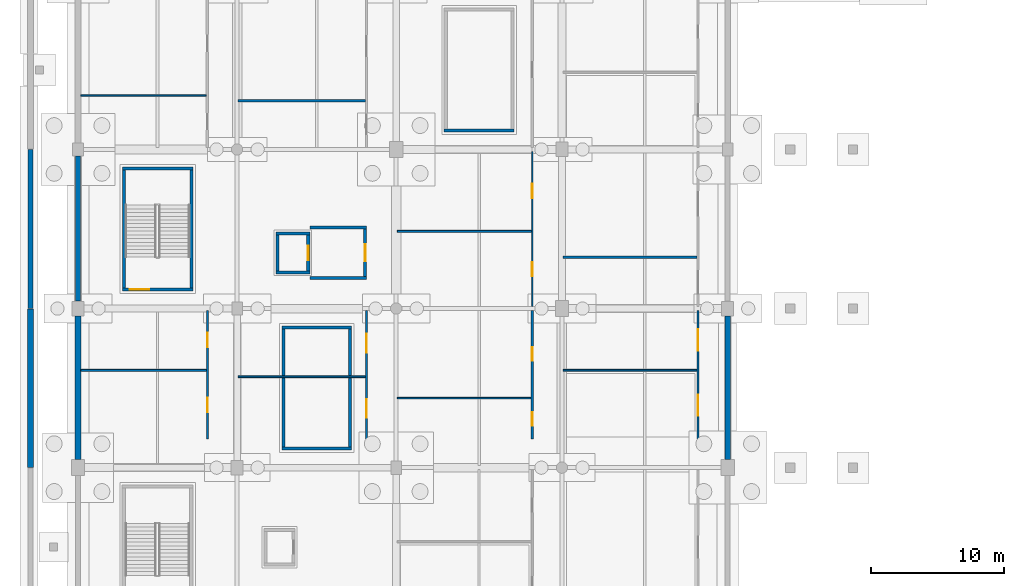
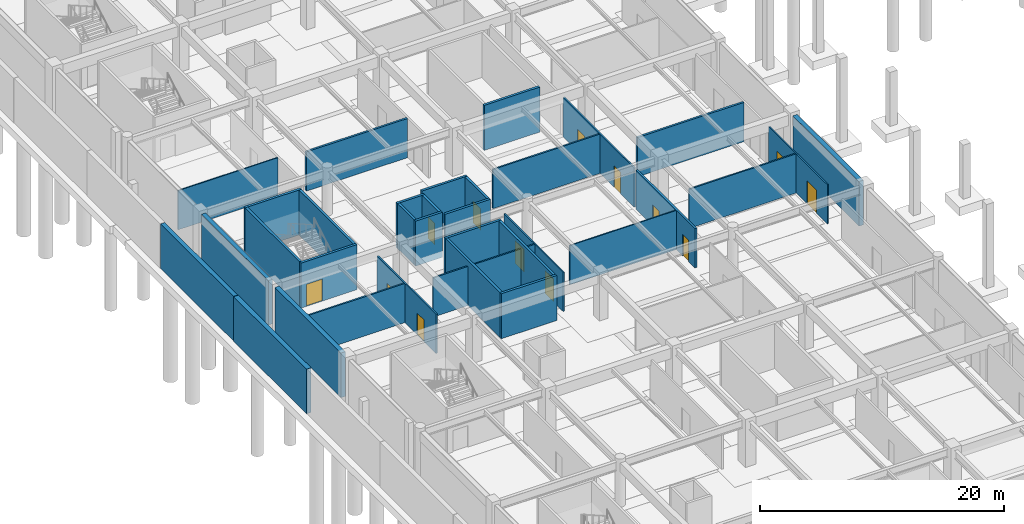
# One storey, part 28 of 56: 34 walls, 13 doors, 13 openings.
"""IFC4 building model written with IfcOpenShell, lengths in metres."""

from ifc_helpers import new_model, si_unit, direction, frame, frame_2d, origin, place, context, subcontext, project, spatial, rectangle, extrude, material, layer, layer_set, type_object, element, fill, save


model = new_model("IFC4")

# Units and contexts
model_context = context("Model", 3, precision=1e-05, world=origin(), true_north=direction((0.0, 1.0)))
body_context = subcontext(model_context, "Body", "Model", "MODEL_VIEW")
ifc_project = project(units=[si_unit("LENGTHUNIT", "METRE"), si_unit("AREAUNIT", "SQUARE_METRE"), si_unit("VOLUMEUNIT", "CUBIC_METRE"), si_unit("PLANEANGLEUNIT", "RADIAN"), si_unit("MASSUNIT", "GRAM", prefix="KILO")], contexts=[model_context])

# Site, building, storey
site_placement = place(None, origin())
site = spatial("IfcSite", under=ifc_project, at=site_placement, CompositionType="ELEMENT")
building_placement = place(site_placement, origin())
building = spatial("IfcBuilding", under=site, at=building_placement, Name="Kazenohara Klinker Stadium", CompositionType="ELEMENT")
storey_placement = place(building_placement, frame((0.0, 0.0, -4.800048828125)))
storey = spatial("IfcBuildingStorey", under=building, at=storey_placement, Name="B01", CompositionType="ELEMENT", Elevation=-4.800048828125)

# Walls
ifc_material_1 = material(Name="Concrete C40/50", Category="concrete")
ifc_layer_1 = layer(ifc_material_1, 0.39990234375)
ifc_layer_set_1 = layer_set([ifc_layer_1], Name="Concrete C40/50")
wall_type_1 = type_object("IfcWallType", Name="WAL-B01-PLINTH400", PredefinedType="USERDEFINED", material=ifc_layer_set_1)
wall_1_placement = place(storey_placement, frame((-3.580078125, 108.02001953125, 0.0), z_axis=(0.0, 0.0, 1.0), x_axis=(0.0, 1.0, 0.0)))
element("IfcWall", 1, at=wall_1_placement, inside=storey, type_object=wall_type_1, Name="Street plinth retaining wall RW04 West-10", ObjectType="RETAINING WALL", PredefinedType="USERDEFINED", context=body_context, shape_type="SweptSolid", body=[
    extrude(rectangle(XDim=11.9599609375, YDim=0.39990234375, at=frame_2d((5.97998046875, 0.0))), origin(), (0.0, 0.0, 1.0), 4.4599609375),
])
ifc_layer_2 = layer(ifc_material_1, 0.43994140625)
ifc_layer_set_2 = layer_set([ifc_layer_2], Name="Concrete C40/50")
wall_type_2 = type_object("IfcWallType", Name="WAL-B01-PLINTH440", PredefinedType="USERDEFINED", material=ifc_layer_set_2)
wall_2_placement = place(storey_placement, frame((-3.580078125, 96.02001953125, 0.0), z_axis=(0.0, 0.0, 1.0), x_axis=(0.0, 1.0, 0.0)))
element("IfcWall", 2, at=wall_2_placement, inside=storey, type_object=wall_type_2, Name="Street plinth retaining wall RW03 West-09", ObjectType="RETAINING WALL", PredefinedType="USERDEFINED", context=body_context, shape_type="SweptSolid", body=[
    extrude(rectangle(XDim=11.9599609375, YDim=0.43994140625, at=frame_2d((5.97998046875, 0.0))), origin(), (0.0, 0.0, 1.0), 4.4599609375),
])
ifc_layer_3 = layer(ifc_material_1, 0.3798828125)
ifc_layer_set_3 = layer_set([ifc_layer_3], Name="Concrete C40/50")
wall_type_3 = type_object("IfcWallType", Name="WAL-B01-RET380", PredefinedType="STANDARD", material=ifc_layer_set_3)
wall_3_placement = place(storey_placement, frame((0.0, 108.553955078125, 0.0), z_axis=(0.0, 0.0, 1.0), x_axis=(0.0, 1.0, 0.0)))
element("IfcWall", 3, at=wall_3_placement, inside=storey, type_object=wall_type_3, Name="Basement perimeter retaining wall RW02 Y-00-09", PredefinedType="STANDARD", context=body_context, shape_type="SweptSolid", body=[
    extrude(rectangle(XDim=10.942138671875, YDim=0.3798828125, at=frame_2d((5.47119140625, 0.0))), origin(), (0.0, 0.0, 1.0), 4.4599609375),
])
ifc_layer_4 = layer(ifc_material_1, 0.419921875)
ifc_layer_set_4 = layer_set([ifc_layer_4], Name="Concrete C40/50")
wall_type_4 = type_object("IfcWallType", Name="WAL-B01-RET420", PredefinedType="STANDARD", material=ifc_layer_set_4)
for number, where, z_axis, x_axis, name in (
    (4, (0.0, 96.60400390625, 0.0), (0.0, 0.0, 1.0), (0.0, 1.0, 0.0), "Basement perimeter retaining wall RW01 Y-00-08"),
    (5, (49.0, 96.60400390625, 0.0), (0.0, 0.0, 1.0), (0.0, 1.0, 0.0), "Basement perimeter retaining wall RW01 Y-04-08"),
):
    element("IfcWall", number, at=place(storey_placement, frame(where, z_axis=z_axis, x_axis=x_axis)), inside=storey, type_object=wall_type_4, Name=name, PredefinedType="STANDARD", context=body_context, shape_type="SweptSolid", body=[
        extrude(rectangle(XDim=10.842041015625, YDim=0.419921875, at=frame_2d((5.4208984375, 0.0))), origin(), (0.0, 0.0, 1.0), 4.4599609375),
    ])

# Wall, opening, door
ifc_layer_5 = layer(ifc_material_1, 0.22998046875)
ifc_layer_set_5 = layer_set([ifc_layer_5], Name="Concrete C40/50")
wall_type_5 = type_object("IfcWallType", Name="WAL-CORE-230", PredefinedType="SHEAR", material=ifc_layer_set_5)
wall_4_placement = place(storey_placement, frame((3.340087890625, 109.43505859375, 0.0), z_axis=(0.0, 0.0, 1.0), x_axis=(1.0, 0.0, 0.0)))
wall_4 = element("IfcWall", 6, at=wall_4_placement, inside=storey, type_object=wall_type_5, Name="Stairwell shear wall ST04 B01 South", PredefinedType="SHEAR", context=body_context, shape_type="SweptSolid", body=[
    extrude(rectangle(XDim=5.31982421875, YDim=0.22998046875, at=frame_2d((2.659912109375, 0.0))), origin(), (0.0, 0.0, 1.0), 4.5),
])
opening_1_placement = place(wall_4_placement, frame((0.550048828125, 0.0, 0.0)))
opening_1 = element("IfcOpeningElement", 7, at=opening_1_placement, cuts=wall_4, Name="Opening SD02", PredefinedType="OPENING", context=body_context, shape_type="SweptSolid", body=[
    extrude(rectangle(XDim=1.5, YDim=2.199951171875, at=frame_2d((0.75, 1.10009765625))), frame((0.0, 0.125, 0.0), z_axis=(0.0, -1.0, 0.0), x_axis=(1.0, 0.0, 0.0)), (0.0, 0.0, 1.0), 0.25),
])
ifc_material_2 = material(Name="Flush painted steel fire door leaf", Category="steel")
door_type_1 = type_object("IfcDoorType", Name="DR-STR-1500x2200", OperationType="NOTDEFINED", PredefinedType="DOOR", material=ifc_material_2)
door_1_placement = place(opening_1_placement, origin())
door_1 = element("IfcDoor", 8, at=door_1_placement, inside=storey, type_object=door_type_1, Name="Escape stairwell fire door ST04-B01", OperationType="SINGLE_SWING_RIGHT", OverallHeight=2.199951171875, OverallWidth=1.5, PredefinedType="DOOR", context=body_context, shape_type="SweptSolid", body=[
    extrude(rectangle(XDim=1.5, YDim=2.199951171875, at=frame_2d((0.75, 1.10009765625))), frame((0.0, 0.02490234375, 0.0), z_axis=(0.0, -1.0, 0.0), x_axis=(1.0, 0.0, 0.0)), (0.0, 0.0, 1.0), 0.050048828125),
])
fill(opening_1, door_1)

# Walls
wall_5_placement = place(storey_placement, frame((3.340087890625, 118.56494140625, 0.0), z_axis=(0.0, 0.0, 1.0), x_axis=(1.0, 0.0, 0.0)))
element("IfcWall", 9, at=wall_5_placement, inside=storey, type_object=wall_type_5, Name="Stairwell shear wall ST04 B01 North", PredefinedType="SHEAR", context=body_context, shape_type="SweptSolid", body=[
    extrude(rectangle(XDim=5.31982421875, YDim=0.22998046875, at=frame_2d((2.659912109375, 0.0))), origin(), (0.0, 0.0, 1.0), 4.5),
])
for number, where, z_axis, x_axis, name in (
    (10, (3.455078125, 109.550048828125, 0.0), (0.0, 0.0, 1.0), (0.0, 1.0, 0.0), "Stairwell shear wall ST04 B01 West"),
    (11, (8.544921875, 109.550048828125, 0.0), (0.0, 0.0, 1.0), (0.0, 1.0, 0.0), "Stairwell shear wall ST04 B01 East"),
):
    element("IfcWall", number, at=place(storey_placement, frame(where, z_axis=z_axis, x_axis=x_axis)), inside=storey, type_object=wall_type_5, Name=name, PredefinedType="SHEAR", context=body_context, shape_type="SweptSolid", body=[
        extrude(rectangle(XDim=8.89990234375, YDim=0.22998046875, at=frame_2d((4.449951171875, 0.0))), origin(), (0.0, 0.0, 1.0), 4.5),
    ])
for number, where, z_axis, x_axis, name in (
    (12, (15.3701171875, 97.43505859375, 0.0), (0.0, 0.0, 1.0), (1.0, 0.0, 0.0), "Stairwell shear wall ST14 B01 South"),
    (13, (15.3701171875, 106.56494140625, 0.0), (0.0, 0.0, 1.0), (1.0, 0.0, 0.0), "Stairwell shear wall ST14 B01 North"),
):
    element("IfcWall", number, at=place(storey_placement, frame(where, z_axis=z_axis, x_axis=x_axis)), inside=storey, type_object=wall_type_5, Name=name, PredefinedType="SHEAR", context=body_context, shape_type="SweptSolid", body=[
        extrude(rectangle(XDim=5.259765625, YDim=0.22998046875, at=frame_2d((2.6298828125, 0.0))), origin(), (0.0, 0.0, 1.0), 4.5),
    ])
for number, where, z_axis, x_axis, name in (
    (14, (15.485107421875, 97.550048828125, 0.0), (0.0, 0.0, 1.0), (0.0, 1.0, 0.0), "Stairwell shear wall ST14 B01 West"),
    (15, (20.514892578125, 97.550048828125, 0.0), (0.0, 0.0, 1.0), (0.0, 1.0, 0.0), "Stairwell shear wall ST14 B01 East"),
):
    element("IfcWall", number, at=place(storey_placement, frame(where, z_axis=z_axis, x_axis=x_axis)), inside=storey, type_object=wall_type_5, Name=name, PredefinedType="SHEAR", context=body_context, shape_type="SweptSolid", body=[
        extrude(rectangle(XDim=8.89990234375, YDim=0.22998046875, at=frame_2d((4.449951171875, 0.0))), origin(), (0.0, 0.0, 1.0), 4.5),
    ])
wall_6_placement = place(storey_placement, frame((27.6201171875, 121.43505859375, 0.0), z_axis=(0.0, 0.0, 1.0), x_axis=(1.0, 0.0, 0.0)))
element("IfcWall", 16, at=wall_6_placement, inside=storey, type_object=wall_type_5, Name="Stairwell shear wall ST18 B01 South", PredefinedType="SHEAR", context=body_context, shape_type="SweptSolid", body=[
    extrude(rectangle(XDim=5.259765625, YDim=0.22998046875, at=frame_2d((2.6298828125, 0.0))), origin(), (0.0, 0.0, 1.0), 4.5),
])
for number, where, z_axis, x_axis, name in (
    (17, (14.919921875, 110.735107421875, -0.64990234375), (0.0, 0.0, 1.0), (1.0, 0.0, 0.0), "Elevator shaft wall LF02 B01 South"),
    (18, (14.919921875, 113.6650390625, -0.64990234375), (0.0, 0.0, 1.0), (1.0, 0.0, 0.0), "Elevator shaft wall LF02 B01 North"),
):
    element("IfcWall", number, at=place(storey_placement, frame(where, z_axis=z_axis, x_axis=x_axis)), inside=storey, type_object=wall_type_5, Name=name, PredefinedType="SHEAR", context=body_context, shape_type="SweptSolid", body=[
        extrude(rectangle(XDim=2.56005859375, YDim=0.22998046875, at=frame_2d((1.280029296875, 0.0))), origin(), (0.0, 0.0, 1.0), 4.5),
    ])
wall_7_placement = place(storey_placement, frame((15.034912109375, 110.85009765625, -0.64990234375), z_axis=(0.0, 0.0, 1.0), x_axis=(0.0, 1.0, 0.0)))
element("IfcWall", 19, at=wall_7_placement, inside=storey, type_object=wall_type_5, Name="Elevator shaft wall LF02 B01 West", PredefinedType="SHEAR", context=body_context, shape_type="SweptSolid", body=[
    extrude(rectangle(XDim=2.699951171875, YDim=0.22998046875, at=frame_2d((1.35009765625, 0.0))), origin(), (0.0, 0.0, 1.0), 4.5),
])

# Wall, opening, door
wall_8_placement = place(storey_placement, frame((17.364990234375, 110.85009765625, -0.64990234375), z_axis=(0.0, 0.0, 1.0), x_axis=(0.0, 1.0, 0.0)))
wall_8 = element("IfcWall", 20, at=wall_8_placement, inside=storey, type_object=wall_type_5, Name="Elevator shaft wall LF02 B01 East", PredefinedType="SHEAR", context=body_context, shape_type="SweptSolid", body=[
    extrude(rectangle(XDim=2.699951171875, YDim=0.22998046875, at=frame_2d((1.35009765625, 0.0))), origin(), (0.0, 0.0, 1.0), 4.5),
])
opening_2_placement = place(wall_8_placement, frame((0.800048828125, 0.0, 0.64990234375)))
opening_2 = element("IfcOpeningElement", 21, at=opening_2_placement, cuts=wall_8, Name="Opening LD01", PredefinedType="OPENING", context=body_context, shape_type="SweptSolid", body=[
    extrude(rectangle(XDim=1.10009765625, YDim=2.14990234375, at=frame_2d((0.550048828125, 1.074951171875))), frame((0.0, 0.125, 0.0), z_axis=(0.0, -1.0, 0.0), x_axis=(1.0, 0.0, 0.0)), (0.0, 0.0, 1.0), 0.25),
])
ifc_material_3 = material(Name="Stainless steel fire-rated sliding landing door", Category="steel")
door_type_2 = type_object("IfcDoorType", Name="DR-LD01-1100x2150", OperationType="NOTDEFINED", PredefinedType="DOOR", material=ifc_material_3)
door_2_placement = place(opening_2_placement, origin())
door_2 = element("IfcDoor", 22, at=door_2_placement, inside=storey, type_object=door_type_2, Name="Elevator sliding landing door LF02-B01", OperationType="DOUBLE_DOOR_SLIDING", OverallHeight=2.14990234375, OverallWidth=1.10009765625, PredefinedType="DOOR", context=body_context, shape_type="SweptSolid", body=[
    extrude(rectangle(XDim=1.10009765625, YDim=2.14990234375, at=frame_2d((0.550048828125, 1.074951171875))), frame((0.0, 0.02490234375, 0.0), z_axis=(0.0, -1.0, 0.0), x_axis=(1.0, 0.0, 0.0)), (0.0, 0.0, 1.0), 0.050048828125),
])
fill(opening_2, door_2)

# Walls
ifc_layer_6 = layer(ifc_material_1, 0.219970703125)
ifc_layer_set_6 = layer_set([ifc_layer_6], Name="Concrete C40/50")
wall_type_6 = type_object("IfcWallType", Name="WAL-INT-FF220", PredefinedType="SOLIDWALL", material=ifc_layer_set_6)
for number, where, z_axis, x_axis, name in (
    (23, (17.47998046875, 110.2900390625, -0.64990234375), (0.0, 0.0, 1.0), (1.0, 0.0, 0.0), "Firefighting lobby wall LF02 B01 South"),
    (24, (17.47998046875, 114.110107421875, -0.64990234375), (0.0, 0.0, 1.0), (1.0, 0.0, 0.0), "Firefighting lobby wall LF02 B01 North"),
):
    element("IfcWall", number, at=place(storey_placement, frame(where, z_axis=z_axis, x_axis=x_axis)), inside=storey, type_object=wall_type_6, Name=name, PredefinedType="SOLIDWALL", context=body_context, shape_type="SweptSolid", body=[
        extrude(rectangle(XDim=4.2900390625, YDim=0.219970703125, at=frame_2d((2.14501953125, 0.0))), origin(), (0.0, 0.0, 1.0), 4.570068359375),
    ])

# Wall, opening, door
wall_9_placement = place(storey_placement, frame((21.659912109375, 110.39990234375, -0.64990234375), z_axis=(0.0, 0.0, 1.0), x_axis=(0.0, 1.0, 0.0)))
wall_9 = element("IfcWall", 25, at=wall_9_placement, inside=storey, type_object=wall_type_6, Name="Firefighting lobby front wall LF02 B01", PredefinedType="SOLIDWALL", context=body_context, shape_type="SweptSolid", body=[
    extrude(rectangle(XDim=3.60009765625, YDim=0.219970703125, at=frame_2d((1.800048828125, 0.0))), origin(), (0.0, 0.0, 1.0), 4.570068359375),
])
opening_3_placement = place(wall_9_placement, frame((1.14990234375, 0.0, 0.64990234375)))
opening_3 = element("IfcOpeningElement", 26, at=opening_3_placement, cuts=wall_9, Name="Opening FD01", PredefinedType="OPENING", context=body_context, shape_type="SweptSolid", body=[
    extrude(rectangle(XDim=1.300048828125, YDim=2.14990234375, at=frame_2d((0.64990234375, 1.074951171875))), frame((0.0, 0.1201171875, 0.0), z_axis=(0.0, -1.0, 0.0), x_axis=(1.0, 0.0, 0.0)), (0.0, 0.0, 1.0), 0.239990234375),
])
ifc_material_4 = material(Name="Smoke-sealed steel fire lobby door", Category="steel")
door_type_3 = type_object("IfcDoorType", Name="DR-FFL-1300x2150", OperationType="NOTDEFINED", PredefinedType="DOOR", material=ifc_material_4)
door_3_placement = place(opening_3_placement, origin())
door_3 = element("IfcDoor", 27, at=door_3_placement, inside=storey, type_object=door_type_3, Name="Firefighting lobby smoke-sealed door LF02-B01", OperationType="SINGLE_SWING_RIGHT", OverallHeight=2.14990234375, OverallWidth=1.300048828125, PredefinedType="DOOR", context=body_context, shape_type="SweptSolid", body=[
    extrude(rectangle(XDim=1.300048828125, YDim=2.14990234375, at=frame_2d((0.64990234375, 1.074951171875))), frame((0.0, 0.02490234375, 0.0), z_axis=(0.0, -1.0, 0.0), x_axis=(1.0, 0.0, 0.0)), (0.0, 0.0, 1.0), 0.050048828125),
])
fill(opening_3, door_3)

# Walls
ifc_material_5 = material(Name="Fire-rated gypsum board on acoustic studs", Category="gypsum")
ifc_layer_7 = layer(ifc_material_5, 0.110107421875)
ifc_layer_set_7 = layer_set([ifc_layer_7], Name="Fire-rated gypsum board on acoustic studs")
wall_type_7 = type_object("IfcWallType", Name="WAL-INT-P110", PredefinedType="PARTITIONING", material=ifc_layer_set_7)
wall_10_placement = place(storey_placement, frame((0.2119140625, 124.08447265625, 0.0), z_axis=(0.0, 0.0, 1.0), x_axis=(1.0, 0.0, 0.0)))
element("IfcWall", 28, at=wall_10_placement, inside=storey, type_object=wall_type_7, Name="Interior partition wall PT01 SPC-B01-00-10-1-2", PredefinedType="PARTITIONING", context=body_context, shape_type="SweptSolid", body=[
    extrude(rectangle(XDim=9.447998046875, YDim=0.110107421875, at=frame_2d((4.72412109375, 0.0))), origin(), (0.0, 0.0, 1.0), 3.920166015625),
])
wall_11_placement = place(storey_placement, frame((24.080078125, 101.2451171875, 0.0), z_axis=(0.0, 0.0, 1.0), x_axis=(1.0, 0.0, 0.0)))
element("IfcWall", 29, at=wall_11_placement, inside=storey, type_object=wall_type_7, Name="Interior partition wall PT01 SPC-B01-02-08-1-2", PredefinedType="PARTITIONING", context=body_context, shape_type="SweptSolid", body=[
    extrude(rectangle(XDim=10.079833984375, YDim=0.110107421875, at=frame_2d((5.0400390625, 0.0))), origin(), (0.0, 0.0, 1.0), 3.920166015625),
])

# Wall, openings, doors
ifc_layer_8 = layer(ifc_material_5, 0.1201171875)
ifc_layer_set_8 = layer_set([ifc_layer_8], Name="Fire-rated gypsum board on acoustic studs")
wall_type_8 = type_object("IfcWallType", Name="WAL-INT-P120", PredefinedType="PARTITIONING", material=ifc_layer_set_8)
wall_12_placement = place(storey_placement, frame((21.760009765625, 98.169921875, 0.0), z_axis=(0.0, 0.0, 1.0), x_axis=(0.0, 1.0, 0.0)))
wall_12 = element("IfcWall", 30, at=wall_12_placement, inside=storey, type_object=wall_type_8, Name="Interior partition wall PT02 SPC-B01-01-08-1-1", PredefinedType="PARTITIONING", context=body_context, shape_type="SweptSolid", body=[
    extrude(rectangle(XDim=9.670166015625, YDim=0.1201171875, at=frame_2d((4.8349609375, 0.0))), origin(), (0.0, 0.0, 1.0), 3.920166015625),
])
opening_4_placement = place(wall_12_placement, frame((1.60498046875, 0.0, 0.0)))
opening_4 = element("IfcOpeningElement", 31, at=opening_4_placement, cuts=wall_12, Name="Opening ID18", PredefinedType="OPENING", context=body_context, shape_type="SweptSolid", body=[
    extrude(rectangle(XDim=1.39990234375, YDim=2.239990234375, at=frame_2d((0.699951171875, 1.1201171875))), frame((0.0, 0.070068359375, 0.0), z_axis=(0.0, -1.0, 0.0), x_axis=(1.0, 0.0, 0.0)), (0.0, 0.0, 1.0), 0.14013671875),
])
opening_5_placement = place(wall_12_placement, frame((6.5, 0.0, 0.0)))
opening_5 = element("IfcOpeningElement", 32, at=opening_5_placement, cuts=wall_12, Name="Opening ID19", PredefinedType="OPENING", context=body_context, shape_type="SweptSolid", body=[
    extrude(rectangle(XDim=1.43994140625, YDim=2.260009765625, at=frame_2d((0.719970703125, 1.1298828125))), frame((0.0, 0.070068359375, 0.0), z_axis=(0.0, -1.0, 0.0), x_axis=(1.0, 0.0, 0.0)), (0.0, 0.0, 1.0), 0.14013671875),
])
ifc_material_6 = material(Name="Solid-core Hokkaido oak fire door", Category="wood")
door_type_4 = type_object("IfcDoorType", Name="DR-INT-18", OperationType="NOTDEFINED", PredefinedType="DOOR", material=ifc_material_6)
door_4_placement = place(opening_4_placement, origin())
door_4 = element("IfcDoor", 33, at=door_4_placement, inside=storey, type_object=door_type_4, Name="Interior door ID18 Mixed Zone Broadcast Interview Studio B01-0108A", OperationType="SINGLE_SWING_LEFT", OverallHeight=2.239990234375, OverallWidth=1.39990234375, PredefinedType="DOOR", context=body_context, shape_type="SweptSolid", body=[
    extrude(rectangle(XDim=1.39990234375, YDim=2.239990234375, at=frame_2d((0.699951171875, 1.1201171875))), frame((0.0, 0.02490234375, 0.0), z_axis=(0.0, -1.0, 0.0), x_axis=(1.0, 0.0, 0.0)), (0.0, 0.0, 1.0), 0.050048828125),
])
fill(opening_4, door_4)
ifc_material_7 = material(Name="Painted steel plant fire door", Category="steel")
door_type_5 = type_object("IfcDoorType", Name="DR-INT-19", OperationType="NOTDEFINED", PredefinedType="DOOR", material=ifc_material_7)
door_5_placement = place(opening_5_placement, origin())
door_5 = element("IfcDoor", 34, at=door_5_placement, inside=storey, type_object=door_type_5, Name="Interior door ID19 Visiting-Club Athlete Changing Room B01-0108B", OperationType="SINGLE_SWING_RIGHT", OverallHeight=2.260009765625, OverallWidth=1.43994140625, PredefinedType="DOOR", context=body_context, shape_type="SweptSolid", body=[
    extrude(rectangle(XDim=1.43994140625, YDim=2.260009765625, at=frame_2d((0.719970703125, 1.1298828125))), frame((0.0, 0.02490234375, 0.0), z_axis=(0.0, -1.0, 0.0), x_axis=(1.0, 0.0, 0.0)), (0.0, 0.0, 1.0), 0.050048828125),
])
fill(opening_5, door_5)

wall_13_placement = place(storey_placement, frame((46.760009765625, 98.169921875, 0.0), z_axis=(0.0, 0.0, 1.0), x_axis=(0.0, 1.0, 0.0)))
wall_13 = element("IfcWall", 35, at=wall_13_placement, inside=storey, type_object=wall_type_8, Name="Interior partition wall PT02 SPC-B01-03-08-1-1", PredefinedType="PARTITIONING", context=body_context, shape_type="SweptSolid", body=[
    extrude(rectangle(XDim=9.670166015625, YDim=0.1201171875, at=frame_2d((4.8349609375, 0.0))), origin(), (0.0, 0.0, 1.0), 3.920166015625),
])
opening_6_placement = place(wall_13_placement, frame((1.74658203125, 0.0, 0.0)))
opening_6 = element("IfcOpeningElement", 36, at=opening_6_placement, cuts=wall_13, Name="Opening ID23", PredefinedType="OPENING", context=body_context, shape_type="SweptSolid", body=[
    extrude(rectangle(XDim=1.60009765625, YDim=2.300048828125, at=frame_2d((0.800048828125, 1.14990234375))), frame((0.0, 0.070068359375, 0.0), z_axis=(0.0, -1.0, 0.0), x_axis=(1.0, 0.0, 0.0)), (0.0, 0.0, 1.0), 0.14013671875),
])
opening_7_placement = place(wall_13_placement, frame((6.63671875, 0.0, 0.0)))
opening_7 = element("IfcOpeningElement", 37, at=opening_7_placement, cuts=wall_13, Name="Opening ID24", PredefinedType="OPENING", context=body_context, shape_type="SweptSolid", body=[
    extrude(rectangle(XDim=1.64990234375, YDim=2.280029296875, at=frame_2d((0.824951171875, 1.14013671875))), frame((0.0, 0.070068359375, 0.0), z_axis=(0.0, -1.0, 0.0), x_axis=(1.0, 0.0, 0.0)), (0.0, 0.0, 1.0), 0.14013671875),
])
door_type_6 = type_object("IfcDoorType", Name="DR-INT-23", OperationType="NOTDEFINED", PredefinedType="DOOR", material=ifc_material_7)
door_6_placement = place(opening_6_placement, origin())
door_6 = element("IfcDoor", 38, at=door_6_placement, inside=storey, type_object=door_type_6, Name="Interior door ID23 Match Officials Dressing Room B01-0308A", OperationType="SINGLE_SWING_RIGHT", OverallHeight=2.300048828125, OverallWidth=1.60009765625, PredefinedType="DOOR", context=body_context, shape_type="SweptSolid", body=[
    extrude(rectangle(XDim=1.60009765625, YDim=2.300048828125, at=frame_2d((0.800048828125, 1.14990234375))), frame((0.0, 0.02490234375, 0.0), z_axis=(0.0, -1.0, 0.0), x_axis=(1.0, 0.0, 0.0)), (0.0, 0.0, 1.0), 0.050048828125),
])
fill(opening_6, door_6)
door_type_7 = type_object("IfcDoorType", Name="DR-INT-24", OperationType="NOTDEFINED", PredefinedType="DOOR", material=ifc_material_7)
door_7_placement = place(opening_7_placement, origin())
door_7 = element("IfcDoor", 39, at=door_7_placement, inside=storey, type_object=door_type_7, Name="Interior door ID24 Mixed Zone Broadcast Interview Studio B01-0308B", OperationType="SINGLE_SWING_LEFT", OverallHeight=2.280029296875, OverallWidth=1.64990234375, PredefinedType="DOOR", context=body_context, shape_type="SweptSolid", body=[
    extrude(rectangle(XDim=1.64990234375, YDim=2.280029296875, at=frame_2d((0.824951171875, 1.14013671875))), frame((0.0, 0.02490234375, 0.0), z_axis=(0.0, -1.0, 0.0), x_axis=(1.0, 0.0, 0.0)), (0.0, 0.0, 1.0), 0.050048828125),
])
fill(opening_7, door_7)

ifc_layer_9 = layer(ifc_material_5, 0.139892578125)
ifc_layer_set_9 = layer_set([ifc_layer_9], Name="Fire-rated gypsum board on acoustic studs")
wall_type_9 = type_object("IfcWallType", Name="WAL-INT-P140", PredefinedType="PARTITIONING", material=ifc_layer_set_9)
wall_14_placement = place(storey_placement, frame((9.760009765625, 98.169921875, 0.0), z_axis=(0.0, 0.0, 1.0), x_axis=(0.0, 1.0, 0.0)))
wall_14 = element("IfcWall", 40, at=wall_14_placement, inside=storey, type_object=wall_type_9, Name="Interior partition wall PT03 SPC-B01-00-08-1-1", PredefinedType="PARTITIONING", context=body_context, shape_type="SweptSolid", body=[
    extrude(rectangle(XDim=9.670166015625, YDim=0.139892578125, at=frame_2d((4.8349609375, 0.0))), origin(), (0.0, 0.0, 1.0), 3.920166015625),
])
opening_8_placement = place(wall_14_placement, frame((2.001708984375, 0.0, 0.0)))
opening_8 = element("IfcOpeningElement", 41, at=opening_8_placement, cuts=wall_14, Name="Opening ID08", PredefinedType="OPENING", context=body_context, shape_type="SweptSolid", body=[
    extrude(rectangle(XDim=1.090087890625, YDim=2.159912109375, at=frame_2d((0.544921875, 1.080078125))), frame((0.0, 0.080078125, 0.0), z_axis=(0.0, -1.0, 0.0), x_axis=(1.0, 0.0, 0.0)), (0.0, 0.0, 1.0), 0.159912109375),
])
opening_9_placement = place(wall_14_placement, frame((6.90185546875, 0.0, 0.0)))
opening_9 = element("IfcOpeningElement", 42, at=opening_9_placement, cuts=wall_14, Name="Opening ID09", PredefinedType="OPENING", context=body_context, shape_type="SweptSolid", body=[
    extrude(rectangle(XDim=1.1201171875, YDim=2.179931640625, at=frame_2d((0.56005859375, 1.08984375))), frame((0.0, 0.080078125, 0.0), z_axis=(0.0, -1.0, 0.0), x_axis=(1.0, 0.0, 0.0)), (0.0, 0.0, 1.0), 0.159912109375),
])
door_type_8 = type_object("IfcDoorType", Name="DR-INT-08", OperationType="NOTDEFINED", PredefinedType="DOOR", material=ifc_material_6)
door_8_placement = place(opening_8_placement, origin())
door_8 = element("IfcDoor", 43, at=door_8_placement, inside=storey, type_object=door_type_8, Name="Interior door ID08 Indoor Turf Sprint Training Arena B01-0008A", OperationType="SINGLE_SWING_LEFT", OverallHeight=2.159912109375, OverallWidth=1.090087890625, PredefinedType="DOOR", context=body_context, shape_type="SweptSolid", body=[
    extrude(rectangle(XDim=1.090087890625, YDim=2.159912109375, at=frame_2d((0.544921875, 1.080078125))), frame((0.0, 0.02490234375, 0.0), z_axis=(0.0, -1.0, 0.0), x_axis=(1.0, 0.0, 0.0)), (0.0, 0.0, 1.0), 0.050048828125),
])
fill(opening_8, door_8)
door_type_9 = type_object("IfcDoorType", Name="DR-INT-09", OperationType="NOTDEFINED", PredefinedType="DOOR", material=ifc_material_6)
door_9_placement = place(opening_9_placement, origin())
door_9 = element("IfcDoor", 44, at=door_9_placement, inside=storey, type_object=door_type_9, Name="Interior door ID09 Match Officials Dressing Room B01-0008B", OperationType="SINGLE_SWING_RIGHT", OverallHeight=2.179931640625, OverallWidth=1.1201171875, PredefinedType="DOOR", context=body_context, shape_type="SweptSolid", body=[
    extrude(rectangle(XDim=1.1201171875, YDim=2.179931640625, at=frame_2d((0.56005859375, 1.08984375))), frame((0.0, 0.02490234375, 0.0), z_axis=(0.0, -1.0, 0.0), x_axis=(1.0, 0.0, 0.0)), (0.0, 0.0, 1.0), 0.050048828125),
])
fill(opening_9, door_9)

# Wall
wall_15_placement = place(storey_placement, frame((12.080078125, 102.85986328125, 0.0), z_axis=(0.0, 0.0, 1.0), x_axis=(1.0, 0.0, 0.0)))
element("IfcWall", 45, at=wall_15_placement, inside=storey, type_object=wall_type_9, Name="Interior partition wall PT03 SPC-B01-01-08-1-2", PredefinedType="PARTITIONING", context=body_context, shape_type="SweptSolid", body=[
    extrude(rectangle(XDim=9.614990234375, YDim=0.139892578125, at=frame_2d((4.8076171875, 0.0))), origin(), (0.0, 0.0, 1.0), 3.920166015625),
])

# Wall, openings, doors
wall_16_placement = place(storey_placement, frame((34.260009765625, 108.159912109375, 0.0), z_axis=(0.0, 0.0, 1.0), x_axis=(0.0, 1.0, 0.0)))
wall_16 = element("IfcWall", 46, at=wall_16_placement, inside=storey, type_object=wall_type_9, Name="Interior partition wall PT03 SPC-B01-02-09-1-1", PredefinedType="PARTITIONING", context=body_context, shape_type="SweptSolid", body=[
    extrude(rectangle(XDim=11.68017578125, YDim=0.139892578125, at=frame_2d((5.840087890625, 0.0))), origin(), (0.0, 0.0, 1.0), 3.920166015625),
])
opening_10_placement = place(wall_16_placement, frame((2.262451171875, 0.0, 0.0)))
opening_10 = element("IfcOpeningElement", 47, at=opening_10_placement, cuts=wall_16, Name="Opening ID07", PredefinedType="OPENING", context=body_context, shape_type="SweptSolid", body=[
    extrude(rectangle(XDim=1.06005859375, YDim=2.14990234375, at=frame_2d((0.530029296875, 1.074951171875))), frame((0.0, 0.080078125, 0.0), z_axis=(0.0, -1.0, 0.0), x_axis=(1.0, 0.0, 0.0)), (0.0, 0.0, 1.0), 0.159912109375),
])
opening_11_placement = place(wall_16_placement, frame((8.16748046875, 0.0, 0.0)))
opening_11 = element("IfcOpeningElement", 48, at=opening_11_placement, cuts=wall_16, Name="Opening ID08", PredefinedType="OPENING", context=body_context, shape_type="SweptSolid", body=[
    extrude(rectangle(XDim=1.090087890625, YDim=2.159912109375, at=frame_2d((0.544921875, 1.080078125))), frame((0.0, 0.080078125, 0.0), z_axis=(0.0, -1.0, 0.0), x_axis=(1.0, 0.0, 0.0)), (0.0, 0.0, 1.0), 0.159912109375),
])
door_type_10 = type_object("IfcDoorType", Name="DR-INT-07", OperationType="NOTDEFINED", PredefinedType="DOOR", material=ifc_material_6)
door_10_placement = place(opening_10_placement, origin())
door_10 = element("IfcDoor", 49, at=door_10_placement, inside=storey, type_object=door_type_10, Name="Interior door ID07 Indoor Turf Sprint Training Arena B01-0209A", OperationType="SINGLE_SWING_RIGHT", OverallHeight=2.14990234375, OverallWidth=1.06005859375, PredefinedType="DOOR", context=body_context, shape_type="SweptSolid", body=[
    extrude(rectangle(XDim=1.06005859375, YDim=2.14990234375, at=frame_2d((0.530029296875, 1.074951171875))), frame((0.0, 0.02490234375, 0.0), z_axis=(0.0, -1.0, 0.0), x_axis=(1.0, 0.0, 0.0)), (0.0, 0.0, 1.0), 0.050048828125),
])
fill(opening_10, door_10)
door_11_placement = place(opening_11_placement, origin())
door_11 = element("IfcDoor", 50, at=door_11_placement, inside=storey, type_object=door_type_8, Name="Interior door ID08 Match Officials Dressing Room B01-0209B", OperationType="SINGLE_SWING_LEFT", OverallHeight=2.159912109375, OverallWidth=1.090087890625, PredefinedType="DOOR", context=body_context, shape_type="SweptSolid", body=[
    extrude(rectangle(XDim=1.090087890625, YDim=2.159912109375, at=frame_2d((0.544921875, 1.080078125))), frame((0.0, 0.02490234375, 0.0), z_axis=(0.0, -1.0, 0.0), x_axis=(1.0, 0.0, 0.0)), (0.0, 0.0, 1.0), 0.050048828125),
])
fill(opening_11, door_11)

# Walls
wall_17_placement = place(storey_placement, frame((36.580078125, 103.343505859375, 0.0), z_axis=(0.0, 0.0, 1.0), x_axis=(1.0, 0.0, 0.0)))
element("IfcWall", 51, at=wall_17_placement, inside=storey, type_object=wall_type_9, Name="Interior partition wall PT03 SPC-B01-03-08-1-2", PredefinedType="PARTITIONING", context=body_context, shape_type="SweptSolid", body=[
    extrude(rectangle(XDim=10.114990234375, YDim=0.139892578125, at=frame_2d((5.0576171875, 0.0))), origin(), (0.0, 0.0, 1.0), 3.920166015625),
])
ifc_layer_10 = layer(ifc_material_5, 0.14990234375)
ifc_layer_set_10 = layer_set([ifc_layer_10], Name="Fire-rated gypsum board on acoustic studs")
wall_type_10 = type_object("IfcWallType", Name="WAL-INT-P150", PredefinedType="PARTITIONING", material=ifc_layer_set_10)
wall_18_placement = place(storey_placement, frame((0.2119140625, 103.343505859375, 0.0), z_axis=(0.0, 0.0, 1.0), x_axis=(1.0, 0.0, 0.0)))
element("IfcWall", 52, at=wall_18_placement, inside=storey, type_object=wall_type_10, Name="Interior partition wall PT04 SPC-B01-00-08-1-2", PredefinedType="PARTITIONING", context=body_context, shape_type="SweptSolid", body=[
    extrude(rectangle(XDim=9.47314453125, YDim=0.14990234375, at=frame_2d((4.736572265625, 0.0))), origin(), (0.0, 0.0, 1.0), 3.920166015625),
])
wall_19_placement = place(storey_placement, frame((24.080078125, 113.82470703125, 0.0), z_axis=(0.0, 0.0, 1.0), x_axis=(1.0, 0.0, 0.0)))
element("IfcWall", 53, at=wall_19_placement, inside=storey, type_object=wall_type_10, Name="Interior partition wall PT04 SPC-B01-02-09-1-2", PredefinedType="PARTITIONING", context=body_context, shape_type="SweptSolid", body=[
    extrude(rectangle(XDim=10.10498046875, YDim=0.14990234375, at=frame_2d((5.052490234375, 0.0))), origin(), (0.0, 0.0, 1.0), 3.920166015625),
])
ifc_layer_11 = layer(ifc_material_5, 0.18994140625)
ifc_layer_set_11 = layer_set([ifc_layer_11], Name="Fire-rated gypsum board on acoustic studs")
wall_type_11 = type_object("IfcWallType", Name="WAL-INT-P190", PredefinedType="PARTITIONING", material=ifc_layer_set_11)
wall_20_placement = place(storey_placement, frame((12.080078125, 123.6640625, 0.0), z_axis=(0.0, 0.0, 1.0), x_axis=(1.0, 0.0, 0.0)))
element("IfcWall", 54, at=wall_20_placement, inside=storey, type_object=wall_type_11, Name="Interior partition wall PT06 SPC-B01-01-10-1-2", PredefinedType="PARTITIONING", context=body_context, shape_type="SweptSolid", body=[
    extrude(rectangle(XDim=9.58984375, YDim=0.18994140625, at=frame_2d((4.794921875, 0.0))), origin(), (0.0, 0.0, 1.0), 3.920166015625),
])

# Wall, openings, doors
wall_21_placement = place(storey_placement, frame((34.260009765625, 98.169921875, 0.0), z_axis=(0.0, 0.0, 1.0), x_axis=(0.0, 1.0, 0.0)))
wall_21 = element("IfcWall", 55, at=wall_21_placement, inside=storey, type_object=wall_type_11, Name="Interior partition wall PT06 SPC-B01-02-08-1-1", PredefinedType="PARTITIONING", context=body_context, shape_type="SweptSolid", body=[
    extrude(rectangle(XDim=9.670166015625, YDim=0.18994140625, at=frame_2d((4.8349609375, 0.0))), origin(), (0.0, 0.0, 1.0), 3.920166015625),
])
opening_12_placement = place(wall_21_placement, frame((0.99755859375, 0.0, 0.0)))
opening_12 = element("IfcOpeningElement", 56, at=opening_12_placement, cuts=wall_21, Name="Opening ID05", PredefinedType="OPENING", context=body_context, shape_type="SweptSolid", body=[
    extrude(rectangle(XDim=1.0, YDim=2.139892578125, at=frame_2d((0.5, 1.06982421875))), frame((0.0, 0.10498046875, 0.0), z_axis=(0.0, -1.0, 0.0), x_axis=(1.0, 0.0, 0.0)), (0.0, 0.0, 1.0), 0.2099609375),
])
opening_13_placement = place(wall_21_placement, frame((5.8974609375, 0.0, 0.0)))
opening_13 = element("IfcOpeningElement", 57, at=opening_13_placement, cuts=wall_21, Name="Opening ID06", PredefinedType="OPENING", context=body_context, shape_type="SweptSolid", body=[
    extrude(rectangle(XDim=1.030029296875, YDim=2.1201171875, at=frame_2d((0.51513671875, 1.06005859375))), frame((0.0, 0.10498046875, 0.0), z_axis=(0.0, -1.0, 0.0), x_axis=(1.0, 0.0, 0.0)), (0.0, 0.0, 1.0), 0.2099609375),
])
door_type_11 = type_object("IfcDoorType", Name="DR-INT-05", OperationType="NOTDEFINED", PredefinedType="DOOR", material=ifc_material_6)
door_12_placement = place(opening_12_placement, origin())
door_12 = element("IfcDoor", 58, at=door_12_placement, inside=storey, type_object=door_type_11, Name="Interior door ID05 District Heating Substation Plant B01-0208A", OperationType="SINGLE_SWING_RIGHT", OverallHeight=2.139892578125, OverallWidth=1.0, PredefinedType="DOOR", context=body_context, shape_type="SweptSolid", body=[
    extrude(rectangle(XDim=1.0, YDim=2.139892578125, at=frame_2d((0.5, 1.06982421875))), frame((0.0, 0.02490234375, 0.0), z_axis=(0.0, -1.0, 0.0), x_axis=(1.0, 0.0, 0.0)), (0.0, 0.0, 1.0), 0.050048828125),
])
fill(opening_12, door_12)
door_type_12 = type_object("IfcDoorType", Name="DR-INT-06", OperationType="NOTDEFINED", PredefinedType="DOOR", material=ifc_material_6)
door_13_placement = place(opening_13_placement, origin())
door_13 = element("IfcDoor", 59, at=door_13_placement, inside=storey, type_object=door_type_12, Name="Interior door ID06 Mixed Zone Broadcast Interview Studio B01-0208B", OperationType="SINGLE_SWING_LEFT", OverallHeight=2.1201171875, OverallWidth=1.030029296875, PredefinedType="DOOR", context=body_context, shape_type="SweptSolid", body=[
    extrude(rectangle(XDim=1.030029296875, YDim=2.1201171875, at=frame_2d((0.51513671875, 1.06005859375))), frame((0.0, 0.02490234375, 0.0), z_axis=(0.0, -1.0, 0.0), x_axis=(1.0, 0.0, 0.0)), (0.0, 0.0, 1.0), 0.050048828125),
])
fill(opening_13, door_13)

# Wall
wall_22_placement = place(storey_placement, frame((36.580078125, 111.874267578125, 0.0), z_axis=(0.0, 0.0, 1.0), x_axis=(1.0, 0.0, 0.0)))
element("IfcWall", 60, at=wall_22_placement, inside=storey, type_object=wall_type_11, Name="Interior partition wall PT06 SPC-B01-03-09-1-2", PredefinedType="PARTITIONING", context=body_context, shape_type="SweptSolid", body=[
    extrude(rectangle(XDim=10.08984375, YDim=0.18994140625, at=frame_2d((5.044921875, 0.0))), origin(), (0.0, 0.0, 1.0), 3.920166015625),
])

save(model, "model.ifc")
